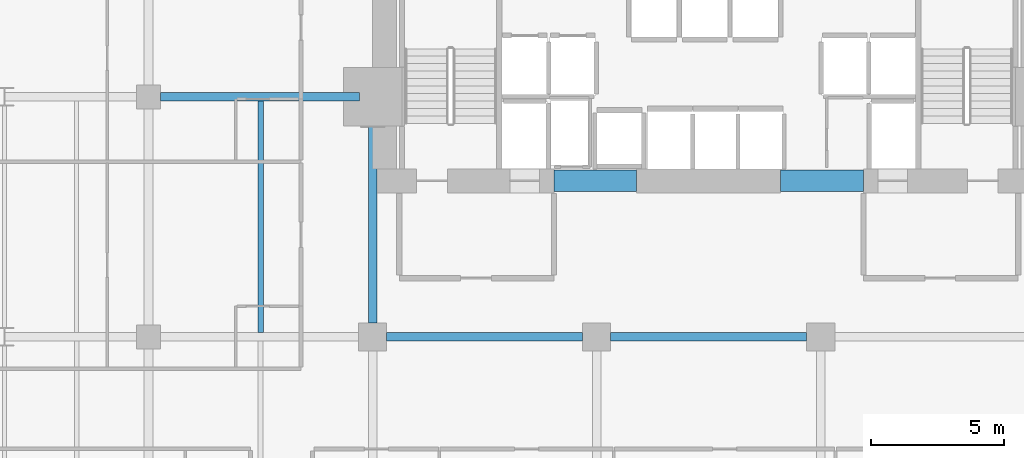
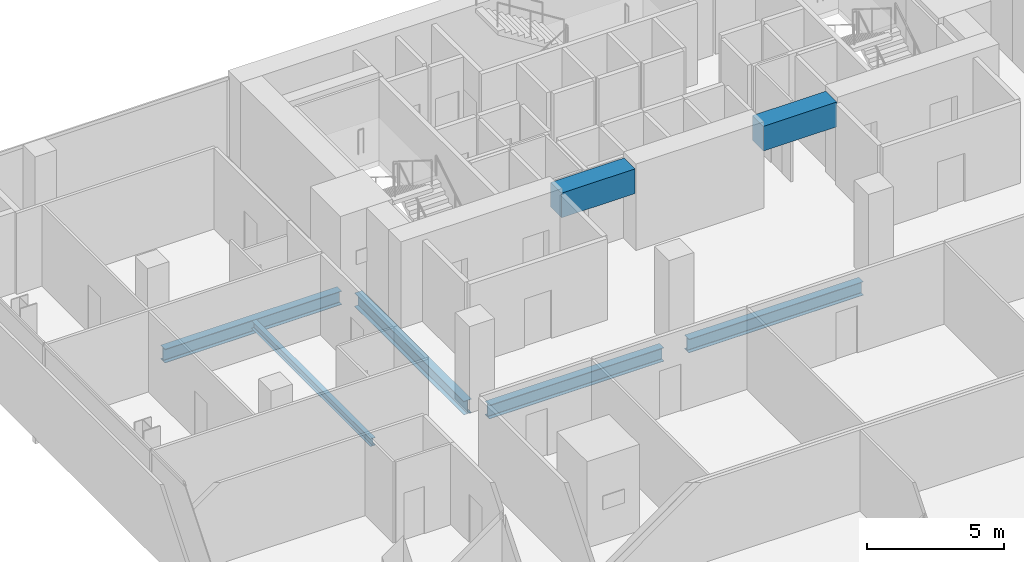
# One storey, part 24 of 40: 7 beams.
"""IFC4 building model written with IfcOpenShell, lengths in metres."""

from ifc_helpers import new_model, si_unit, direction, frame, origin, origin_2d, place, context, subcontext, project, spatial, rectangle, i_section, extrude, material, material_profile, profile_set, type_object, element, save


model = new_model("IFC4")

# Units and contexts
model_context = context("Model", 3, precision=1e-05, world=origin(), true_north=direction((0.0, 1.0)))
body_context = subcontext(model_context, "Body", "Model", "MODEL_VIEW")
ifc_project = project(units=[si_unit("LENGTHUNIT", "METRE"), si_unit("AREAUNIT", "SQUARE_METRE"), si_unit("VOLUMEUNIT", "CUBIC_METRE"), si_unit("PLANEANGLEUNIT", "RADIAN"), si_unit("MASSUNIT", "GRAM", prefix="KILO")], contexts=[model_context])

# Site, building, storey
site_placement = place(None, origin())
site = spatial("IfcSite", under=ifc_project, at=site_placement, CompositionType="ELEMENT")
building_placement = place(site_placement, origin())
building = spatial("IfcBuilding", under=site, at=building_placement, Name="Maruvema Waterfront Hotel and Observation Tower", CompositionType="ELEMENT")
storey_placement = place(building_placement, frame((0.0, 0.0, 92.39990234375)))
storey = spatial("IfcBuildingStorey", under=building, at=storey_placement, Name="L22", CompositionType="ELEMENT", Elevation=92.39990234375)

# Beams
ifc_material_1 = material(Name="Concrete C60/75", Category="concrete")
ifc_material_profile_1 = material_profile(ifc_material_1, rectangle(XDim=0.800048828125, YDim=1.10009765625, at=origin_2d()), Name="CB800x1100")
ifc_profile_set_1 = profile_set([ifc_material_profile_1], Name="Concrete C60/75")
beam_type_1 = type_object("IfcBeamType", Name="Core Coupling Lintel Beam CB800x1100", PredefinedType="LINTEL", material=ifc_profile_set_1)
for number, where, z_axis, x_axis, name in (
    (1, (32.0, 41.85009765625, 3.06005859375), (1.0, 0.0, 0.0), (0.0, 1.0, 0.0), "L22 Core Coupling Lintel Beam West"),
    (2, (40.5, 41.85009765625, 3.06005859375), (1.0, 0.0, 0.0), (0.0, 1.0, 0.0), "L22 Core Coupling Lintel Beam East"),
):
    element("IfcBeam", number, at=place(storey_placement, frame(where, z_axis=z_axis, x_axis=x_axis)), inside=storey, type_object=beam_type_1, Name=name, PredefinedType="LINTEL", context=body_context, shape_type="SweptSolid", body=[
        extrude(rectangle(XDim=0.800048828125, YDim=1.10009765625, at=origin_2d()), origin(), (0.0, 0.0, 1.0), 3.10009765625),
    ])
ifc_material_2 = material(Name="Steel ASTM A572 Grade 50", Category="steel")
ifc_material_profile_2 = material_profile(ifc_material_2, i_section(OverallWidth=0.323974609375, OverallDepth=0.611083984375, WebThickness=0.0126953125, FlangeThickness=0.01904296875, FilletRadius=0.01806640625, at=origin_2d()), Name="W610x155.0")
ifc_profile_set_2 = profile_set([ifc_material_profile_2], Name="Steel ASTM A572 Grade 50")
beam_type_2 = type_object("IfcBeamType", Name="Primary Floor Girder W610x155.0", PredefinedType="BEAM", material=ifc_profile_set_2)
beam_1_placement = place(storey_placement, frame((25.72509765625, 36.0, -0.54541015625), z_axis=(1.0, 0.0, 0.0), x_axis=(0.0, 1.0, 0.0)))
element("IfcBeam", 3, at=beam_1_placement, inside=storey, type_object=beam_type_2, Name="L22 Floor Girder EW-27", PredefinedType="BEAM", context=body_context, shape_type="SweptSolid", body=[
    extrude(i_section(OverallWidth=0.323974609375, OverallDepth=0.611083984375, WebThickness=0.0126953125, FlangeThickness=0.01904296875, FilletRadius=0.01806640625, at=origin_2d()), origin(), (0.0, 0.0, 1.0), 7.349853515625),
])
beam_2_placement = place(storey_placement, frame((34.125, 36.0, -0.54541015625), z_axis=(1.0, 0.0, 0.0), x_axis=(0.0, 1.0, 0.0)))
element("IfcBeam", 4, at=beam_2_placement, inside=storey, type_object=beam_type_2, Name="L22 Floor Girder EW-28", PredefinedType="BEAM", context=body_context, shape_type="SweptSolid", body=[
    extrude(i_section(OverallWidth=0.323974609375, OverallDepth=0.611083984375, WebThickness=0.0126953125, FlangeThickness=0.01904296875, FilletRadius=0.01806640625, at=origin_2d()), origin(), (0.0, 0.0, 1.0), 7.35009765625),
])
beam_3_placement = place(storey_placement, frame((17.25, 45.0, -0.54541015625), z_axis=(1.0, 0.0, 0.0), x_axis=(0.0, 1.0, 0.0)))
element("IfcBeam", 5, at=beam_3_placement, inside=storey, type_object=beam_type_2, Name="L22 Floor Girder EW-33", PredefinedType="BEAM", context=body_context, shape_type="SweptSolid", body=[
    extrude(i_section(OverallWidth=0.323974609375, OverallDepth=0.611083984375, WebThickness=0.0126953125, FlangeThickness=0.01904296875, FilletRadius=0.01806640625, at=origin_2d()), origin(), (0.0, 0.0, 1.0), 7.449951171875),
])
beam_4_placement = place(storey_placement, frame((25.199951171875, 36.52490234375, -0.54541015625), z_axis=(0.0, 1.0, 0.0), x_axis=(-1.0, 0.0, 0.0)))
element("IfcBeam", 6, at=beam_4_placement, inside=storey, type_object=beam_type_2, Name="L22 Floor Girder NS-15", PredefinedType="BEAM", context=body_context, shape_type="SweptSolid", body=[
    extrude(i_section(OverallWidth=0.323974609375, OverallDepth=0.611083984375, WebThickness=0.0126953125, FlangeThickness=0.01904296875, FilletRadius=0.01806640625, at=origin_2d()), origin(), (0.0, 0.0, 1.0), 7.97509765625),
])
ifc_material_3 = material(Name="Steel ASTM A572 Grade 50", Category="steel")
ifc_material_profile_3 = material_profile(ifc_material_3, i_section(OverallWidth=0.202880859375, OverallDepth=0.346923828125, WebThickness=0.0078125, FlangeThickness=0.013427734375, FilletRadius=0.014892578125, at=origin_2d()), Name="W360x64.0")
ifc_profile_set_3 = profile_set([ifc_material_profile_3], Name="Steel ASTM A572 Grade 50")
beam_type_3 = type_object("IfcBeamType", Name="Secondary Floor Joist W360x64.0", PredefinedType="JOIST", material=ifc_profile_set_3)
beam_5_placement = place(storey_placement, frame((21.0, 36.162109375, -0.413330078125), z_axis=(0.0, 1.0, 0.0), x_axis=(-1.0, 0.0, 0.0)))
element("IfcBeam", 7, at=beam_5_placement, inside=storey, type_object=beam_type_3, Name="L22 Secondary Floor Joist JS-09", PredefinedType="JOIST", context=body_context, shape_type="SweptSolid", body=[
    extrude(i_section(OverallWidth=0.202880859375, OverallDepth=0.346923828125, WebThickness=0.0078125, FlangeThickness=0.013427734375, FilletRadius=0.014892578125, at=origin_2d()), origin(), (0.0, 0.0, 1.0), 8.67578125),
])

save(model, "model.ifc")
